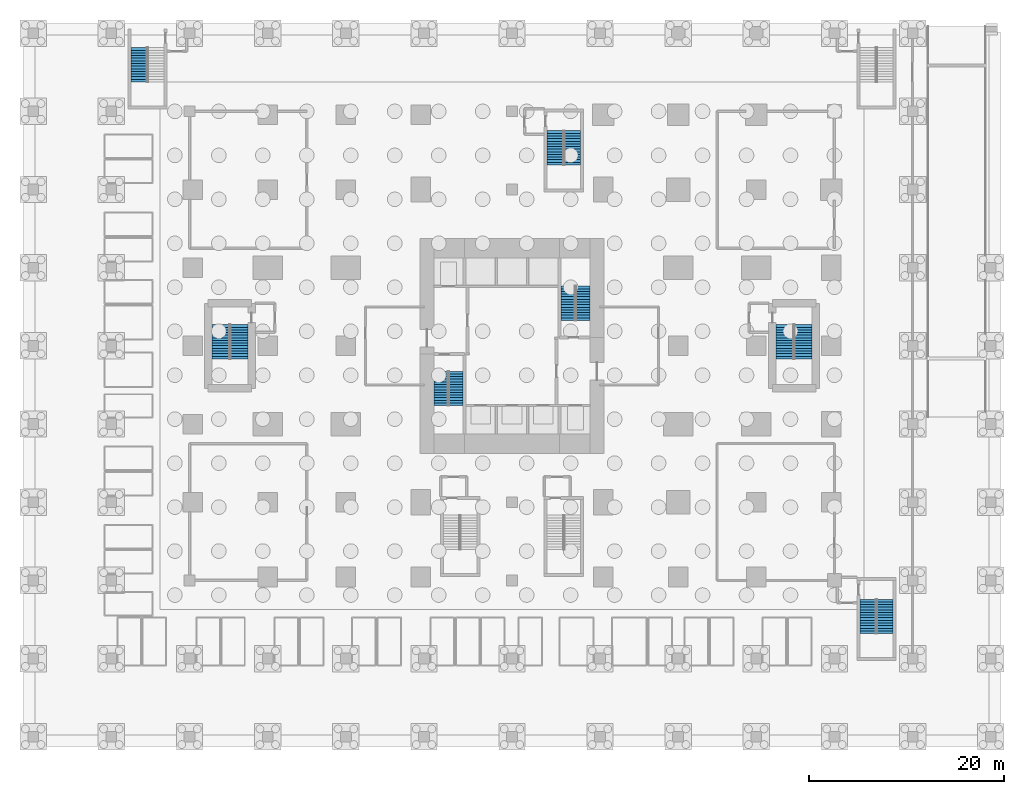
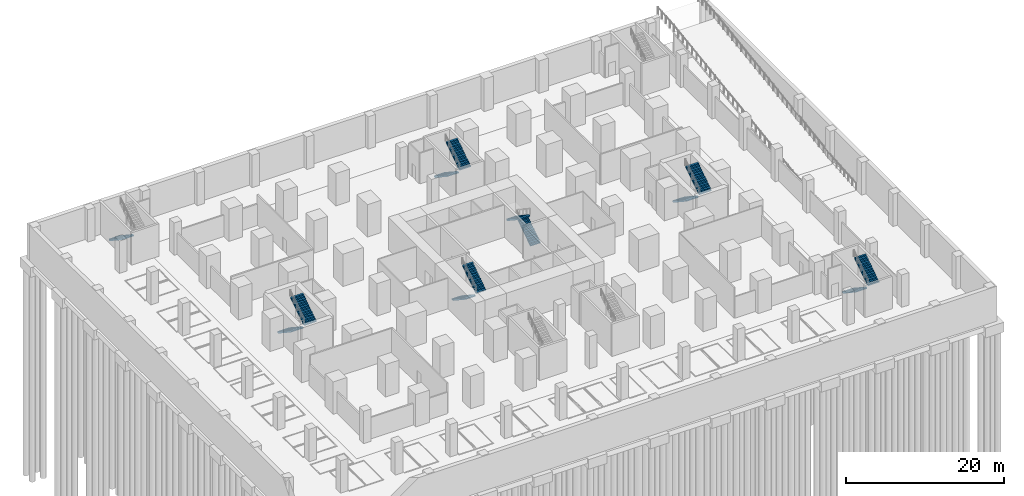
# One storey, part 13 of 17: 13 stair flights, 7 elements without a shape of their own.
"""IFC4 building model written with IfcOpenShell, lengths in metres."""

from ifc_helpers import new_model, si_unit, direction, frame, origin, place, context, subcontext, project, spatial, polyline, outline, extrude, material, type_object, element, aggregate, save


model = new_model("IFC4")

# Units and contexts
model_context = context("Model", 3, precision=1e-05, world=origin(), true_north=direction((0.0, 1.0)))
body_context = subcontext(model_context, "Body", "Model", "MODEL_VIEW")
ifc_project = project(units=[si_unit("LENGTHUNIT", "METRE"), si_unit("AREAUNIT", "SQUARE_METRE"), si_unit("VOLUMEUNIT", "CUBIC_METRE"), si_unit("PLANEANGLEUNIT", "RADIAN"), si_unit("MASSUNIT", "GRAM", prefix="KILO")], contexts=[model_context])

# Site, building, storey
site_placement = place(None, origin())
site = spatial("IfcSite", under=ifc_project, at=site_placement, CompositionType="ELEMENT")
building_placement = place(site_placement, origin())
building = spatial("IfcBuilding", under=site, at=building_placement, Name="Cleftline Residences", CompositionType="ELEMENT")
storey_placement = place(building_placement, frame((0.0, 0.0, -5.0)))
storey = spatial("IfcBuildingStorey", under=building, at=storey_placement, Name="L-01", CompositionType="ELEMENT", Elevation=-5.0)

# Stair, stair flights
ifc_material_1 = material(Name="Concrete B45, stone treads", Category="masonry")
stair_type_1 = type_object("IfcStairType", Name="STAIR A 1450 WIDE 179 RISER", PredefinedType="HALF_TURN_STAIR", material=ifc_material_1)
stair_1_placement = place(storey_placement, origin())
stair_1 = element("IfcStair", 1, at=stair_1_placement, inside=storey, type_object=stair_type_1, Name="Stair A L-01", PredefinedType="HALF_TURN_STAIR")
ifc_material_2 = material(Name="Concrete B45", Category="concrete")
stair_flight_type_1 = type_object("IfcStairFlightType", Name="STAIR A FLIGHT 1450X179", PredefinedType="STRAIGHT", material=ifc_material_2)
stair_flight_1_placement = place(storey_placement, frame((25.72509765625, 21.39990234375, 0.0), z_axis=(0.0, 0.0, 1.0), x_axis=(0.0, -1.0, 0.0)))
stair_flight_1 = element("IfcStairFlight", 2, at=stair_flight_1_placement, type_object=stair_flight_type_1, Name="ST-A flight 1", NumberOfRisers=14, NumberOfTreads=13, PredefinedType="STRAIGHT", RiserHeight=0.178571429, TreadLength=0.27, context=body_context, shape_type="SweptSolid", body=[
    extrude(outline(polyline([(0.0, 0.0), (0.0, 0.013671875), (0.0, 0.027587890625), (0.0, 0.041259765625), (0.0, 0.054931640625), (0.0, 0.068603515625), (0.0, 0.08251953125), (0.0, 0.09619140625), (0.0, 0.10986328125), (0.0, 0.12353515625), (0.0, 0.137451171875), (0.0, 0.151123046875), (0.0, 0.164794921875), (0.0, 0.178466796875), (0.27001953125, 0.178466796875), (0.27001953125, 0.357177734375), (0.5400390625, 0.357177734375), (0.5400390625, 0.53564453125), (0.81005859375, 0.53564453125), (0.81005859375, 0.71435546875), (1.080078125, 0.71435546875), (1.080078125, 0.892822265625), (1.35009765625, 0.892822265625), (1.35009765625, 1.071533203125), (1.6201171875, 1.071533203125), (1.6201171875, 1.25), (1.889892578125, 1.25), (1.889892578125, 1.428466796875), (2.159912109375, 1.428466796875), (2.159912109375, 1.607177734375), (2.429931640625, 1.607177734375), (2.429931640625, 1.78564453125), (2.699951171875, 1.78564453125), (2.699951171875, 1.96435546875), (2.969970703125, 1.96435546875), (2.969970703125, 2.142822265625), (3.239990234375, 2.142822265625), (3.239990234375, 2.321533203125), (3.510009765625, 2.321533203125), (3.510009765625, 2.5), (3.510009765625, 2.472412109375), (3.510009765625, 2.44482421875), (3.510009765625, 2.417236328125), (3.510009765625, 2.3896484375), (3.510009765625, 2.3623046875), (3.510009765625, 2.334716796875), (3.510009765625, 2.30712890625), (3.510009765625, 2.279541015625), (3.510009765625, 2.251953125), (3.510009765625, 2.224365234375), (3.510009765625, 2.19677734375), (3.510009765625, 2.169189453125), (3.510009765625, 2.1416015625), (0.271728515625, 0.0), (0.0, 0.0)])), frame((0.0, 0.72509765625, 0.0), z_axis=(0.0, -1.0, 0.0), x_axis=(1.0, 0.0, 0.0)), (0.0, 0.0, 1.0), 1.449951171875),
])
stair_flight_2_placement = place(storey_placement, frame((27.27490234375, 17.889892578125, 2.5), z_axis=(0.0, 0.0, 1.0), x_axis=(0.0, 1.0, 0.0)))
stair_flight_2 = element("IfcStairFlight", 3, at=stair_flight_2_placement, type_object=stair_flight_type_1, Name="ST-A flight 2", NumberOfRisers=14, NumberOfTreads=13, PredefinedType="STRAIGHT", RiserHeight=0.178571429, TreadLength=0.27, context=body_context, shape_type="SweptSolid", body=[
    extrude(outline(polyline([(0.0, 0.0), (0.0, 0.013671875), (0.0, 0.027587890625), (0.0, 0.041259765625), (0.0, 0.054931640625), (0.0, 0.068603515625), (0.0, 0.08251953125), (0.0, 0.09619140625), (0.0, 0.10986328125), (0.0, 0.12353515625), (0.0, 0.137451171875), (0.0, 0.151123046875), (0.0, 0.164794921875), (0.0, 0.178466796875), (0.27001953125, 0.178466796875), (0.27001953125, 0.357177734375), (0.5400390625, 0.357177734375), (0.5400390625, 0.53564453125), (0.81005859375, 0.53564453125), (0.81005859375, 0.71435546875), (1.080078125, 0.71435546875), (1.080078125, 0.892822265625), (1.35009765625, 0.892822265625), (1.35009765625, 1.071533203125), (1.6201171875, 1.071533203125), (1.6201171875, 1.25), (1.889892578125, 1.25), (1.889892578125, 1.428466796875), (2.159912109375, 1.428466796875), (2.159912109375, 1.607177734375), (2.429931640625, 1.607177734375), (2.429931640625, 1.78564453125), (2.699951171875, 1.78564453125), (2.699951171875, 1.96435546875), (2.969970703125, 1.96435546875), (2.969970703125, 2.142822265625), (3.239990234375, 2.142822265625), (3.239990234375, 2.321533203125), (3.510009765625, 2.321533203125), (3.510009765625, 2.5), (3.510009765625, 2.472412109375), (3.510009765625, 2.44482421875), (3.510009765625, 2.417236328125), (3.510009765625, 2.3896484375), (3.510009765625, 2.3623046875), (3.510009765625, 2.334716796875), (3.510009765625, 2.30712890625), (3.510009765625, 2.279541015625), (3.510009765625, 2.251953125), (3.510009765625, 2.224365234375), (3.510009765625, 2.19677734375), (3.510009765625, 2.169189453125), (3.510009765625, 2.1416015625), (0.271728515625, 0.0), (0.0, 0.0)])), frame((0.0, 0.72509765625, 0.0), z_axis=(0.0, -1.0, 0.0), x_axis=(1.0, 0.0, 0.0)), (0.0, 0.0, 1.0), 1.449951171875),
])
aggregate(stair_1, [stair_flight_1, stair_flight_2])

ifc_material_3 = material(Name="Concrete B45, stone treads", Category="masonry")
stair_type_2 = type_object("IfcStairType", Name="STAIR B 1450 WIDE 179 RISER", PredefinedType="HALF_TURN_STAIR", material=ifc_material_3)
stair_2_placement = place(storey_placement, origin())
stair_2 = element("IfcStair", 4, at=stair_2_placement, inside=storey, type_object=stair_type_2, Name="Stair B L-01", PredefinedType="HALF_TURN_STAIR")
ifc_material_4 = material(Name="Concrete B45", Category="concrete")
stair_flight_type_2 = type_object("IfcStairFlightType", Name="STAIR B FLIGHT 1450X179", PredefinedType="STRAIGHT", material=ifc_material_4)
stair_flight_3_placement = place(storey_placement, frame((40.27490234375, 26.60009765625, 0.0), z_axis=(0.0, 0.0, 1.0), x_axis=(0.0, 1.0, 0.0)))
stair_flight_3 = element("IfcStairFlight", 5, at=stair_flight_3_placement, type_object=stair_flight_type_2, Name="ST-B flight 1", NumberOfRisers=14, NumberOfTreads=13, PredefinedType="STRAIGHT", RiserHeight=0.178571429, TreadLength=0.27, context=body_context, shape_type="SweptSolid", body=[
    extrude(outline(polyline([(0.0, 0.0), (0.0, 0.013671875), (0.0, 0.027587890625), (0.0, 0.041259765625), (0.0, 0.054931640625), (0.0, 0.068603515625), (0.0, 0.08251953125), (0.0, 0.09619140625), (0.0, 0.10986328125), (0.0, 0.12353515625), (0.0, 0.137451171875), (0.0, 0.151123046875), (0.0, 0.164794921875), (0.0, 0.178466796875), (0.27001953125, 0.178466796875), (0.27001953125, 0.357177734375), (0.5400390625, 0.357177734375), (0.5400390625, 0.53564453125), (0.81005859375, 0.53564453125), (0.81005859375, 0.71435546875), (1.080078125, 0.71435546875), (1.080078125, 0.892822265625), (1.35009765625, 0.892822265625), (1.35009765625, 1.071533203125), (1.6201171875, 1.071533203125), (1.6201171875, 1.25), (1.889892578125, 1.25), (1.889892578125, 1.428466796875), (2.159912109375, 1.428466796875), (2.159912109375, 1.607177734375), (2.429931640625, 1.607177734375), (2.429931640625, 1.78564453125), (2.699951171875, 1.78564453125), (2.699951171875, 1.96435546875), (2.969970703125, 1.96435546875), (2.969970703125, 2.142822265625), (3.239990234375, 2.142822265625), (3.239990234375, 2.321533203125), (3.510009765625, 2.321533203125), (3.510009765625, 2.5), (3.510009765625, 2.472412109375), (3.510009765625, 2.44482421875), (3.510009765625, 2.417236328125), (3.510009765625, 2.3896484375), (3.510009765625, 2.3623046875), (3.510009765625, 2.334716796875), (3.510009765625, 2.30712890625), (3.510009765625, 2.279541015625), (3.510009765625, 2.251953125), (3.510009765625, 2.224365234375), (3.510009765625, 2.19677734375), (3.510009765625, 2.169189453125), (3.510009765625, 2.1416015625), (0.271728515625, 0.0), (0.0, 0.0)])), frame((0.0, 0.72509765625, 0.0), z_axis=(0.0, -1.0, 0.0), x_axis=(1.0, 0.0, 0.0)), (0.0, 0.0, 1.0), 1.449951171875),
])
stair_flight_4_placement = place(storey_placement, frame((38.72509765625, 30.110107421875, 2.5), z_axis=(0.0, 0.0, 1.0), x_axis=(0.0, -1.0, 0.0)))
stair_flight_4 = element("IfcStairFlight", 6, at=stair_flight_4_placement, type_object=stair_flight_type_2, Name="ST-B flight 2", NumberOfRisers=14, NumberOfTreads=13, PredefinedType="STRAIGHT", RiserHeight=0.178571429, TreadLength=0.27, context=body_context, shape_type="SweptSolid", body=[
    extrude(outline(polyline([(0.0, 0.0), (0.0, 0.013671875), (0.0, 0.027587890625), (0.0, 0.041259765625), (0.0, 0.054931640625), (0.0, 0.068603515625), (0.0, 0.08251953125), (0.0, 0.09619140625), (0.0, 0.10986328125), (0.0, 0.12353515625), (0.0, 0.137451171875), (0.0, 0.151123046875), (0.0, 0.164794921875), (0.0, 0.178466796875), (0.27001953125, 0.178466796875), (0.27001953125, 0.357177734375), (0.5400390625, 0.357177734375), (0.5400390625, 0.53564453125), (0.81005859375, 0.53564453125), (0.81005859375, 0.71435546875), (1.080078125, 0.71435546875), (1.080078125, 0.892822265625), (1.35009765625, 0.892822265625), (1.35009765625, 1.071533203125), (1.6201171875, 1.071533203125), (1.6201171875, 1.25), (1.889892578125, 1.25), (1.889892578125, 1.428466796875), (2.159912109375, 1.428466796875), (2.159912109375, 1.607177734375), (2.429931640625, 1.607177734375), (2.429931640625, 1.78564453125), (2.699951171875, 1.78564453125), (2.699951171875, 1.96435546875), (2.969970703125, 1.96435546875), (2.969970703125, 2.142822265625), (3.239990234375, 2.142822265625), (3.239990234375, 2.321533203125), (3.510009765625, 2.321533203125), (3.510009765625, 2.5), (3.510009765625, 2.472412109375), (3.510009765625, 2.44482421875), (3.510009765625, 2.417236328125), (3.510009765625, 2.3896484375), (3.510009765625, 2.3623046875), (3.510009765625, 2.334716796875), (3.510009765625, 2.30712890625), (3.510009765625, 2.279541015625), (3.510009765625, 2.251953125), (3.510009765625, 2.224365234375), (3.510009765625, 2.19677734375), (3.510009765625, 2.169189453125), (3.510009765625, 2.1416015625), (0.271728515625, 0.0), (0.0, 0.0)])), frame((0.0, 0.72509765625, 0.0), z_axis=(0.0, -1.0, 0.0), x_axis=(1.0, 0.0, 0.0)), (0.0, 0.0, 1.0), 1.449951171875),
])
aggregate(stair_2, [stair_flight_3, stair_flight_4])

ifc_material_5 = material(Name="Concrete B45, stone treads", Category="masonry")
stair_type_3 = type_object("IfcStairType", Name="STAIR D 1630 WIDE 179 RISER", PredefinedType="HALF_TURN_STAIR", material=ifc_material_5)
stair_3_placement = place(storey_placement, origin())
stair_3 = element("IfcStair", 7, at=stair_3_placement, inside=storey, type_object=stair_type_3, Name="Stair D L-01", PredefinedType="HALF_TURN_STAIR")
ifc_material_6 = material(Name="Concrete B45", Category="concrete")
stair_flight_type_3 = type_object("IfcStairFlightType", Name="STAIR D FLIGHT 1630X179", PredefinedType="STRAIGHT", material=ifc_material_6)
stair_flight_5_placement = place(storey_placement, frame((37.4150390625, 46.02001953125, 0.0), z_axis=(0.0, 0.0, 1.0), x_axis=(0.0, -1.0, 0.0)))
stair_flight_5 = element("IfcStairFlight", 8, at=stair_flight_5_placement, type_object=stair_flight_type_3, Name="ST-D flight 1", NumberOfRisers=14, NumberOfTreads=13, PredefinedType="STRAIGHT", RiserHeight=0.178571429, TreadLength=0.27, context=body_context, shape_type="SweptSolid", body=[
    extrude(outline(polyline([(0.0, 0.0), (0.0, 0.013671875), (0.0, 0.027587890625), (0.0, 0.041259765625), (0.0, 0.054931640625), (0.0, 0.068603515625), (0.0, 0.08251953125), (0.0, 0.09619140625), (0.0, 0.10986328125), (0.0, 0.12353515625), (0.0, 0.137451171875), (0.0, 0.151123046875), (0.0, 0.164794921875), (0.0, 0.178466796875), (0.27001953125, 0.178466796875), (0.27001953125, 0.357177734375), (0.5400390625, 0.357177734375), (0.5400390625, 0.53564453125), (0.81005859375, 0.53564453125), (0.81005859375, 0.71435546875), (1.080078125, 0.71435546875), (1.080078125, 0.892822265625), (1.35009765625, 0.892822265625), (1.35009765625, 1.071533203125), (1.6201171875, 1.071533203125), (1.6201171875, 1.25), (1.889892578125, 1.25), (1.889892578125, 1.428466796875), (2.159912109375, 1.428466796875), (2.159912109375, 1.607177734375), (2.429931640625, 1.607177734375), (2.429931640625, 1.78564453125), (2.699951171875, 1.78564453125), (2.699951171875, 1.96435546875), (2.969970703125, 1.96435546875), (2.969970703125, 2.142822265625), (3.239990234375, 2.142822265625), (3.239990234375, 2.321533203125), (3.510009765625, 2.321533203125), (3.510009765625, 2.5), (3.510009765625, 2.472412109375), (3.510009765625, 2.44482421875), (3.510009765625, 2.417236328125), (3.510009765625, 2.3896484375), (3.510009765625, 2.3623046875), (3.510009765625, 2.334716796875), (3.510009765625, 2.30712890625), (3.510009765625, 2.279541015625), (3.510009765625, 2.251953125), (3.510009765625, 2.224365234375), (3.510009765625, 2.19677734375), (3.510009765625, 2.169189453125), (3.510009765625, 2.1416015625), (0.271728515625, 0.0), (0.0, 0.0)])), frame((0.0, 0.81494140625, 0.0), z_axis=(0.0, -1.0, 0.0), x_axis=(1.0, 0.0, 0.0)), (0.0, 0.0, 1.0), 1.6298828125),
])
stair_flight_6_placement = place(storey_placement, frame((39.18505859375, 42.510009765625, 2.5), z_axis=(0.0, 0.0, 1.0), x_axis=(0.0, 1.0, 0.0)))
stair_flight_6 = element("IfcStairFlight", 9, at=stair_flight_6_placement, type_object=stair_flight_type_3, Name="ST-D flight 2", NumberOfRisers=14, NumberOfTreads=13, PredefinedType="STRAIGHT", RiserHeight=0.178571429, TreadLength=0.27, context=body_context, shape_type="SweptSolid", body=[
    extrude(outline(polyline([(0.0, 0.0), (0.0, 0.013671875), (0.0, 0.027587890625), (0.0, 0.041259765625), (0.0, 0.054931640625), (0.0, 0.068603515625), (0.0, 0.08251953125), (0.0, 0.09619140625), (0.0, 0.10986328125), (0.0, 0.12353515625), (0.0, 0.137451171875), (0.0, 0.151123046875), (0.0, 0.164794921875), (0.0, 0.178466796875), (0.27001953125, 0.178466796875), (0.27001953125, 0.357177734375), (0.5400390625, 0.357177734375), (0.5400390625, 0.53564453125), (0.81005859375, 0.53564453125), (0.81005859375, 0.71435546875), (1.080078125, 0.71435546875), (1.080078125, 0.892822265625), (1.35009765625, 0.892822265625), (1.35009765625, 1.071533203125), (1.6201171875, 1.071533203125), (1.6201171875, 1.25), (1.889892578125, 1.25), (1.889892578125, 1.428466796875), (2.159912109375, 1.428466796875), (2.159912109375, 1.607177734375), (2.429931640625, 1.607177734375), (2.429931640625, 1.78564453125), (2.699951171875, 1.78564453125), (2.699951171875, 1.96435546875), (2.969970703125, 1.96435546875), (2.969970703125, 2.142822265625), (3.239990234375, 2.142822265625), (3.239990234375, 2.321533203125), (3.510009765625, 2.321533203125), (3.510009765625, 2.5), (3.510009765625, 2.472412109375), (3.510009765625, 2.44482421875), (3.510009765625, 2.417236328125), (3.510009765625, 2.3896484375), (3.510009765625, 2.3623046875), (3.510009765625, 2.334716796875), (3.510009765625, 2.30712890625), (3.510009765625, 2.279541015625), (3.510009765625, 2.251953125), (3.510009765625, 2.224365234375), (3.510009765625, 2.19677734375), (3.510009765625, 2.169189453125), (3.510009765625, 2.1416015625), (0.271728515625, 0.0), (0.0, 0.0)])), frame((0.0, 0.81494140625, 0.0), z_axis=(0.0, -1.0, 0.0), x_axis=(1.0, 0.0, 0.0)), (0.0, 0.0, 1.0), 1.6298828125),
])
aggregate(stair_3, [stair_flight_5, stair_flight_6])

ifc_material_7 = material(Name="Concrete B45, stone treads", Category="masonry")
stair_type_4 = type_object("IfcStairType", Name="STAIR E 1800 WIDE 179 RISER", PredefinedType="HALF_TURN_STAIR", material=ifc_material_7)
stair_4_placement = place(storey_placement, origin())
stair_4 = element("IfcStair", 10, at=stair_4_placement, inside=storey, type_object=stair_type_4, Name="Stair E L-01", PredefinedType="HALF_TURN_STAIR")
ifc_material_8 = material(Name="Concrete B45", Category="concrete")
stair_flight_type_4 = type_object("IfcStairFlightType", Name="STAIR E FLIGHT 1800X179", PredefinedType="STRAIGHT", material=ifc_material_8)
stair_flight_7_placement = place(storey_placement, frame((60.925048828125, 26.175048828125, 0.0), z_axis=(0.0, 0.0, 1.0), x_axis=(0.0, -1.0, 0.0)))
stair_flight_7 = element("IfcStairFlight", 11, at=stair_flight_7_placement, type_object=stair_flight_type_4, Name="ST-E flight 1", NumberOfRisers=14, NumberOfTreads=13, PredefinedType="STRAIGHT", RiserHeight=0.178571429, TreadLength=0.27, context=body_context, shape_type="SweptSolid", body=[
    extrude(outline(polyline([(0.0, 0.0), (0.0, 0.013671875), (0.0, 0.027587890625), (0.0, 0.041259765625), (0.0, 0.054931640625), (0.0, 0.068603515625), (0.0, 0.08251953125), (0.0, 0.09619140625), (0.0, 0.10986328125), (0.0, 0.12353515625), (0.0, 0.137451171875), (0.0, 0.151123046875), (0.0, 0.164794921875), (0.0, 0.178466796875), (0.27001953125, 0.178466796875), (0.27001953125, 0.357177734375), (0.5400390625, 0.357177734375), (0.5400390625, 0.53564453125), (0.81005859375, 0.53564453125), (0.81005859375, 0.71435546875), (1.080078125, 0.71435546875), (1.080078125, 0.892822265625), (1.35009765625, 0.892822265625), (1.35009765625, 1.071533203125), (1.6201171875, 1.071533203125), (1.6201171875, 1.25), (1.889892578125, 1.25), (1.889892578125, 1.428466796875), (2.159912109375, 1.428466796875), (2.159912109375, 1.607177734375), (2.429931640625, 1.607177734375), (2.429931640625, 1.78564453125), (2.699951171875, 1.78564453125), (2.699951171875, 1.96435546875), (2.969970703125, 1.96435546875), (2.969970703125, 2.142822265625), (3.239990234375, 2.142822265625), (3.239990234375, 2.321533203125), (3.510009765625, 2.321533203125), (3.510009765625, 2.5), (3.510009765625, 2.472412109375), (3.510009765625, 2.44482421875), (3.510009765625, 2.417236328125), (3.510009765625, 2.3896484375), (3.510009765625, 2.3623046875), (3.510009765625, 2.334716796875), (3.510009765625, 2.30712890625), (3.510009765625, 2.279541015625), (3.510009765625, 2.251953125), (3.510009765625, 2.224365234375), (3.510009765625, 2.19677734375), (3.510009765625, 2.169189453125), (3.510009765625, 2.1416015625), (0.271728515625, 0.0), (0.0, 0.0)])), frame((0.0, 0.89990234375, 0.0), z_axis=(0.0, -1.0, 0.0), x_axis=(1.0, 0.0, 0.0)), (0.0, 0.0, 1.0), 1.800048828125),
])
stair_flight_8_placement = place(storey_placement, frame((62.824951171875, 22.6650390625, 2.5), z_axis=(0.0, 0.0, 1.0), x_axis=(0.0, 1.0, 0.0)))
stair_flight_8 = element("IfcStairFlight", 12, at=stair_flight_8_placement, type_object=stair_flight_type_4, Name="ST-E flight 2", NumberOfRisers=14, NumberOfTreads=13, PredefinedType="STRAIGHT", RiserHeight=0.178571429, TreadLength=0.27, context=body_context, shape_type="SweptSolid", body=[
    extrude(outline(polyline([(0.0, 0.0), (0.0, 0.013671875), (0.0, 0.027587890625), (0.0, 0.041259765625), (0.0, 0.054931640625), (0.0, 0.068603515625), (0.0, 0.08251953125), (0.0, 0.09619140625), (0.0, 0.10986328125), (0.0, 0.12353515625), (0.0, 0.137451171875), (0.0, 0.151123046875), (0.0, 0.164794921875), (0.0, 0.178466796875), (0.27001953125, 0.178466796875), (0.27001953125, 0.357177734375), (0.5400390625, 0.357177734375), (0.5400390625, 0.53564453125), (0.81005859375, 0.53564453125), (0.81005859375, 0.71435546875), (1.080078125, 0.71435546875), (1.080078125, 0.892822265625), (1.35009765625, 0.892822265625), (1.35009765625, 1.071533203125), (1.6201171875, 1.071533203125), (1.6201171875, 1.25), (1.889892578125, 1.25), (1.889892578125, 1.428466796875), (2.159912109375, 1.428466796875), (2.159912109375, 1.607177734375), (2.429931640625, 1.607177734375), (2.429931640625, 1.78564453125), (2.699951171875, 1.78564453125), (2.699951171875, 1.96435546875), (2.969970703125, 1.96435546875), (2.969970703125, 2.142822265625), (3.239990234375, 2.142822265625), (3.239990234375, 2.321533203125), (3.510009765625, 2.321533203125), (3.510009765625, 2.5), (3.510009765625, 2.472412109375), (3.510009765625, 2.44482421875), (3.510009765625, 2.417236328125), (3.510009765625, 2.3896484375), (3.510009765625, 2.3623046875), (3.510009765625, 2.334716796875), (3.510009765625, 2.30712890625), (3.510009765625, 2.279541015625), (3.510009765625, 2.251953125), (3.510009765625, 2.224365234375), (3.510009765625, 2.19677734375), (3.510009765625, 2.169189453125), (3.510009765625, 2.1416015625), (0.271728515625, 0.0), (0.0, 0.0)])), frame((0.0, 0.89990234375, 0.0), z_axis=(0.0, -1.0, 0.0), x_axis=(1.0, 0.0, 0.0)), (0.0, 0.0, 1.0), 1.800048828125),
])
aggregate(stair_4, [stair_flight_7, stair_flight_8])

ifc_material_9 = material(Name="Concrete B45, stone treads", Category="masonry")
stair_type_5 = type_object("IfcStairType", Name="STAIR PS-S 1630 WIDE 179 RISER", PredefinedType="HALF_TURN_STAIR", material=ifc_material_9)
stair_5_placement = place(storey_placement, origin())
stair_5 = element("IfcStair", 13, at=stair_5_placement, inside=storey, type_object=stair_type_5, Name="Stair PS-S L-01", PredefinedType="HALF_TURN_STAIR")
ifc_material_10 = material(Name="Concrete B45", Category="concrete")
stair_flight_type_5 = type_object("IfcStairFlightType", Name="STAIR PS-S FLIGHT 1630X179", PredefinedType="STRAIGHT", material=ifc_material_10)
stair_flight_9_placement = place(storey_placement, frame((69.4150390625, -1.929931640625, 0.0), z_axis=(0.0, 0.0, 1.0), x_axis=(0.0, -1.0, 0.0)))
stair_flight_9 = element("IfcStairFlight", 14, at=stair_flight_9_placement, type_object=stair_flight_type_5, Name="ST-PS-S flight 1", NumberOfRisers=14, NumberOfTreads=13, PredefinedType="STRAIGHT", RiserHeight=0.178571429, TreadLength=0.27, context=body_context, shape_type="SweptSolid", body=[
    extrude(outline(polyline([(0.0, 0.0), (0.0, 0.013671875), (0.0, 0.027587890625), (0.0, 0.041259765625), (0.0, 0.054931640625), (0.0, 0.068603515625), (0.0, 0.08251953125), (0.0, 0.09619140625), (0.0, 0.10986328125), (0.0, 0.12353515625), (0.0, 0.137451171875), (0.0, 0.151123046875), (0.0, 0.164794921875), (0.0, 0.178466796875), (0.27001953125, 0.178466796875), (0.27001953125, 0.357177734375), (0.5400390625, 0.357177734375), (0.5400390625, 0.53564453125), (0.81005859375, 0.53564453125), (0.81005859375, 0.71435546875), (1.080078125, 0.71435546875), (1.080078125, 0.892822265625), (1.35009765625, 0.892822265625), (1.35009765625, 1.071533203125), (1.6201171875, 1.071533203125), (1.6201171875, 1.25), (1.889892578125, 1.25), (1.889892578125, 1.428466796875), (2.159912109375, 1.428466796875), (2.159912109375, 1.607177734375), (2.429931640625, 1.607177734375), (2.429931640625, 1.78564453125), (2.699951171875, 1.78564453125), (2.699951171875, 1.96435546875), (2.969970703125, 1.96435546875), (2.969970703125, 2.142822265625), (3.239990234375, 2.142822265625), (3.239990234375, 2.321533203125), (3.510009765625, 2.321533203125), (3.510009765625, 2.5), (3.510009765625, 2.472412109375), (3.510009765625, 2.44482421875), (3.510009765625, 2.417236328125), (3.510009765625, 2.3896484375), (3.510009765625, 2.3623046875), (3.510009765625, 2.334716796875), (3.510009765625, 2.30712890625), (3.510009765625, 2.279541015625), (3.510009765625, 2.251953125), (3.510009765625, 2.224365234375), (3.510009765625, 2.19677734375), (3.510009765625, 2.169189453125), (3.510009765625, 2.1416015625), (0.271728515625, 0.0), (0.0, 0.0)])), frame((0.0, 0.81494140625, 0.0), z_axis=(0.0, -1.0, 0.0), x_axis=(1.0, 0.0, 0.0)), (0.0, 0.0, 1.0), 1.6298828125),
])
stair_flight_10_placement = place(storey_placement, frame((71.18505859375, -5.43994140625, 2.5), z_axis=(0.0, 0.0, 1.0), x_axis=(0.0, 1.0, 0.0)))
stair_flight_10 = element("IfcStairFlight", 15, at=stair_flight_10_placement, type_object=stair_flight_type_5, Name="ST-PS-S flight 2", NumberOfRisers=14, NumberOfTreads=13, PredefinedType="STRAIGHT", RiserHeight=0.178571429, TreadLength=0.27, context=body_context, shape_type="SweptSolid", body=[
    extrude(outline(polyline([(0.0, 0.0), (0.0, 0.013671875), (0.0, 0.027587890625), (0.0, 0.041259765625), (0.0, 0.054931640625), (0.0, 0.068603515625), (0.0, 0.08251953125), (0.0, 0.09619140625), (0.0, 0.10986328125), (0.0, 0.12353515625), (0.0, 0.137451171875), (0.0, 0.151123046875), (0.0, 0.164794921875), (0.0, 0.178466796875), (0.27001953125, 0.178466796875), (0.27001953125, 0.357177734375), (0.5400390625, 0.357177734375), (0.5400390625, 0.53564453125), (0.81005859375, 0.53564453125), (0.81005859375, 0.71435546875), (1.080078125, 0.71435546875), (1.080078125, 0.892822265625), (1.35009765625, 0.892822265625), (1.35009765625, 1.071533203125), (1.6201171875, 1.071533203125), (1.6201171875, 1.25), (1.889892578125, 1.25), (1.889892578125, 1.428466796875), (2.159912109375, 1.428466796875), (2.159912109375, 1.607177734375), (2.429931640625, 1.607177734375), (2.429931640625, 1.78564453125), (2.699951171875, 1.78564453125), (2.699951171875, 1.96435546875), (2.969970703125, 1.96435546875), (2.969970703125, 2.142822265625), (3.239990234375, 2.142822265625), (3.239990234375, 2.321533203125), (3.510009765625, 2.321533203125), (3.510009765625, 2.5), (3.510009765625, 2.472412109375), (3.510009765625, 2.44482421875), (3.510009765625, 2.417236328125), (3.510009765625, 2.3896484375), (3.510009765625, 2.3623046875), (3.510009765625, 2.334716796875), (3.510009765625, 2.30712890625), (3.510009765625, 2.279541015625), (3.510009765625, 2.251953125), (3.510009765625, 2.224365234375), (3.510009765625, 2.19677734375), (3.510009765625, 2.169189453125), (3.510009765625, 2.1416015625), (0.271728515625, 0.0), (0.0, 0.0)])), frame((0.0, 0.81494140625, 0.0), z_axis=(0.0, -1.0, 0.0), x_axis=(1.0, 0.0, 0.0)), (0.0, 0.0, 1.0), 1.6298828125),
])
aggregate(stair_5, [stair_flight_9, stair_flight_10])

# Stair, stair flight
ifc_material_11 = material(Name="Concrete B45, stone treads", Category="masonry")
stair_type_6 = type_object("IfcStairType", Name="STAIR PS-W 1630 WIDE 179 RISER", PredefinedType="HALF_TURN_STAIR", material=ifc_material_11)
stair_6_placement = place(storey_placement, origin())
stair_6 = element("IfcStair", 16, at=stair_6_placement, inside=storey, type_object=stair_type_6, Name="Stair PS-W L-01", PredefinedType="HALF_TURN_STAIR")
ifc_material_12 = material(Name="Concrete B45", Category="concrete")
stair_flight_type_6 = type_object("IfcStairFlightType", Name="STAIR PS-W FLIGHT 1630X179", PredefinedType="STRAIGHT", material=ifc_material_12)
stair_flight_11_placement = place(storey_placement, frame((-5.18505859375, 54.52001953125, 0.0), z_axis=(0.0, 0.0, 1.0), x_axis=(0.0, -1.0, 0.0)))
stair_flight_11 = element("IfcStairFlight", 17, at=stair_flight_11_placement, type_object=stair_flight_type_6, Name="ST-PS-W flight 1", NumberOfRisers=14, NumberOfTreads=13, PredefinedType="STRAIGHT", RiserHeight=0.178571429, TreadLength=0.27, context=body_context, shape_type="SweptSolid", body=[
    extrude(outline(polyline([(0.0, 0.0), (0.0, 0.013671875), (0.0, 0.027587890625), (0.0, 0.041259765625), (0.0, 0.054931640625), (0.0, 0.068603515625), (0.0, 0.08251953125), (0.0, 0.09619140625), (0.0, 0.10986328125), (0.0, 0.12353515625), (0.0, 0.137451171875), (0.0, 0.151123046875), (0.0, 0.164794921875), (0.0, 0.178466796875), (0.27001953125, 0.178466796875), (0.27001953125, 0.357177734375), (0.5400390625, 0.357177734375), (0.5400390625, 0.53564453125), (0.81005859375, 0.53564453125), (0.81005859375, 0.71435546875), (1.080078125, 0.71435546875), (1.080078125, 0.892822265625), (1.35009765625, 0.892822265625), (1.35009765625, 1.071533203125), (1.6201171875, 1.071533203125), (1.6201171875, 1.25), (1.889892578125, 1.25), (1.889892578125, 1.428466796875), (2.159912109375, 1.428466796875), (2.159912109375, 1.607177734375), (2.429931640625, 1.607177734375), (2.429931640625, 1.78564453125), (2.699951171875, 1.78564453125), (2.699951171875, 1.96435546875), (2.969970703125, 1.96435546875), (2.969970703125, 2.142822265625), (3.239990234375, 2.142822265625), (3.239990234375, 2.321533203125), (3.510009765625, 2.321533203125), (3.510009765625, 2.5), (3.510009765625, 2.472412109375), (3.510009765625, 2.44482421875), (3.510009765625, 2.417236328125), (3.510009765625, 2.3896484375), (3.510009765625, 2.3623046875), (3.510009765625, 2.334716796875), (3.510009765625, 2.30712890625), (3.510009765625, 2.279541015625), (3.510009765625, 2.251953125), (3.510009765625, 2.224365234375), (3.510009765625, 2.19677734375), (3.510009765625, 2.169189453125), (3.510009765625, 2.1416015625), (0.271728515625, 0.0), (0.0, 0.0)])), frame((0.0, 0.81494140625, 0.0), z_axis=(0.0, -1.0, 0.0), x_axis=(1.0, 0.0, 0.0)), (0.0, 0.0, 1.0), 1.6298828125),
])
aggregate(stair_6, [stair_flight_11])

# Stair, stair flights
ifc_material_13 = material(Name="Concrete B45, stone treads", Category="masonry")
stair_type_7 = type_object("IfcStairType", Name="STAIR W 1800 WIDE 179 RISER", PredefinedType="HALF_TURN_STAIR", material=ifc_material_13)
stair_7_placement = place(storey_placement, origin())
stair_7 = element("IfcStair", 18, at=stair_7_placement, inside=storey, type_object=stair_type_7, Name="Stair W L-01", PredefinedType="HALF_TURN_STAIR")
ifc_material_14 = material(Name="Concrete B45", Category="concrete")
stair_flight_type_7 = type_object("IfcStairFlightType", Name="STAIR W FLIGHT 1800X179", PredefinedType="STRAIGHT", material=ifc_material_14)
stair_flight_12_placement = place(storey_placement, frame((3.175048828125, 26.175048828125, 0.0), z_axis=(0.0, 0.0, 1.0), x_axis=(0.0, -1.0, 0.0)))
stair_flight_12 = element("IfcStairFlight", 19, at=stair_flight_12_placement, type_object=stair_flight_type_7, Name="ST-W flight 1", NumberOfRisers=14, NumberOfTreads=13, PredefinedType="STRAIGHT", RiserHeight=0.178571429, TreadLength=0.27, context=body_context, shape_type="SweptSolid", body=[
    extrude(outline(polyline([(0.0, 0.0), (0.0, 0.013671875), (0.0, 0.027587890625), (0.0, 0.041259765625), (0.0, 0.054931640625), (0.0, 0.068603515625), (0.0, 0.08251953125), (0.0, 0.09619140625), (0.0, 0.10986328125), (0.0, 0.12353515625), (0.0, 0.137451171875), (0.0, 0.151123046875), (0.0, 0.164794921875), (0.0, 0.178466796875), (0.27001953125, 0.178466796875), (0.27001953125, 0.357177734375), (0.5400390625, 0.357177734375), (0.5400390625, 0.53564453125), (0.81005859375, 0.53564453125), (0.81005859375, 0.71435546875), (1.080078125, 0.71435546875), (1.080078125, 0.892822265625), (1.35009765625, 0.892822265625), (1.35009765625, 1.071533203125), (1.6201171875, 1.071533203125), (1.6201171875, 1.25), (1.889892578125, 1.25), (1.889892578125, 1.428466796875), (2.159912109375, 1.428466796875), (2.159912109375, 1.607177734375), (2.429931640625, 1.607177734375), (2.429931640625, 1.78564453125), (2.699951171875, 1.78564453125), (2.699951171875, 1.96435546875), (2.969970703125, 1.96435546875), (2.969970703125, 2.142822265625), (3.239990234375, 2.142822265625), (3.239990234375, 2.321533203125), (3.510009765625, 2.321533203125), (3.510009765625, 2.5), (3.510009765625, 2.472412109375), (3.510009765625, 2.44482421875), (3.510009765625, 2.417236328125), (3.510009765625, 2.3896484375), (3.510009765625, 2.3623046875), (3.510009765625, 2.334716796875), (3.510009765625, 2.30712890625), (3.510009765625, 2.279541015625), (3.510009765625, 2.251953125), (3.510009765625, 2.224365234375), (3.510009765625, 2.19677734375), (3.510009765625, 2.169189453125), (3.510009765625, 2.1416015625), (0.271728515625, 0.0), (0.0, 0.0)])), frame((0.0, 0.89990234375, 0.0), z_axis=(0.0, -1.0, 0.0), x_axis=(1.0, 0.0, 0.0)), (0.0, 0.0, 1.0), 1.800048828125),
])
stair_flight_13_placement = place(storey_placement, frame((5.074951171875, 22.6650390625, 2.5), z_axis=(0.0, 0.0, 1.0), x_axis=(0.0, 1.0, 0.0)))
stair_flight_13 = element("IfcStairFlight", 20, at=stair_flight_13_placement, type_object=stair_flight_type_7, Name="ST-W flight 2", NumberOfRisers=14, NumberOfTreads=13, PredefinedType="STRAIGHT", RiserHeight=0.178571429, TreadLength=0.27, context=body_context, shape_type="SweptSolid", body=[
    extrude(outline(polyline([(0.0, 0.0), (0.0, 0.013671875), (0.0, 0.027587890625), (0.0, 0.041259765625), (0.0, 0.054931640625), (0.0, 0.068603515625), (0.0, 0.08251953125), (0.0, 0.09619140625), (0.0, 0.10986328125), (0.0, 0.12353515625), (0.0, 0.137451171875), (0.0, 0.151123046875), (0.0, 0.164794921875), (0.0, 0.178466796875), (0.27001953125, 0.178466796875), (0.27001953125, 0.357177734375), (0.5400390625, 0.357177734375), (0.5400390625, 0.53564453125), (0.81005859375, 0.53564453125), (0.81005859375, 0.71435546875), (1.080078125, 0.71435546875), (1.080078125, 0.892822265625), (1.35009765625, 0.892822265625), (1.35009765625, 1.071533203125), (1.6201171875, 1.071533203125), (1.6201171875, 1.25), (1.889892578125, 1.25), (1.889892578125, 1.428466796875), (2.159912109375, 1.428466796875), (2.159912109375, 1.607177734375), (2.429931640625, 1.607177734375), (2.429931640625, 1.78564453125), (2.699951171875, 1.78564453125), (2.699951171875, 1.96435546875), (2.969970703125, 1.96435546875), (2.969970703125, 2.142822265625), (3.239990234375, 2.142822265625), (3.239990234375, 2.321533203125), (3.510009765625, 2.321533203125), (3.510009765625, 2.5), (3.510009765625, 2.472412109375), (3.510009765625, 2.44482421875), (3.510009765625, 2.417236328125), (3.510009765625, 2.3896484375), (3.510009765625, 2.3623046875), (3.510009765625, 2.334716796875), (3.510009765625, 2.30712890625), (3.510009765625, 2.279541015625), (3.510009765625, 2.251953125), (3.510009765625, 2.224365234375), (3.510009765625, 2.19677734375), (3.510009765625, 2.169189453125), (3.510009765625, 2.1416015625), (0.271728515625, 0.0), (0.0, 0.0)])), frame((0.0, 0.89990234375, 0.0), z_axis=(0.0, -1.0, 0.0), x_axis=(1.0, 0.0, 0.0)), (0.0, 0.0, 1.0), 1.800048828125),
])
aggregate(stair_7, [stair_flight_12, stair_flight_13])

save(model, "model.ifc")
